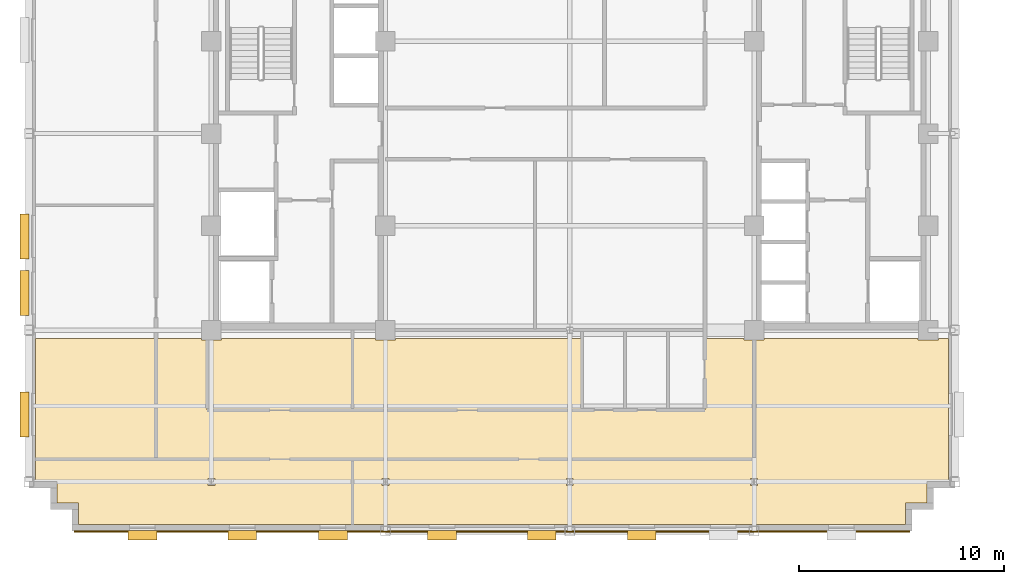
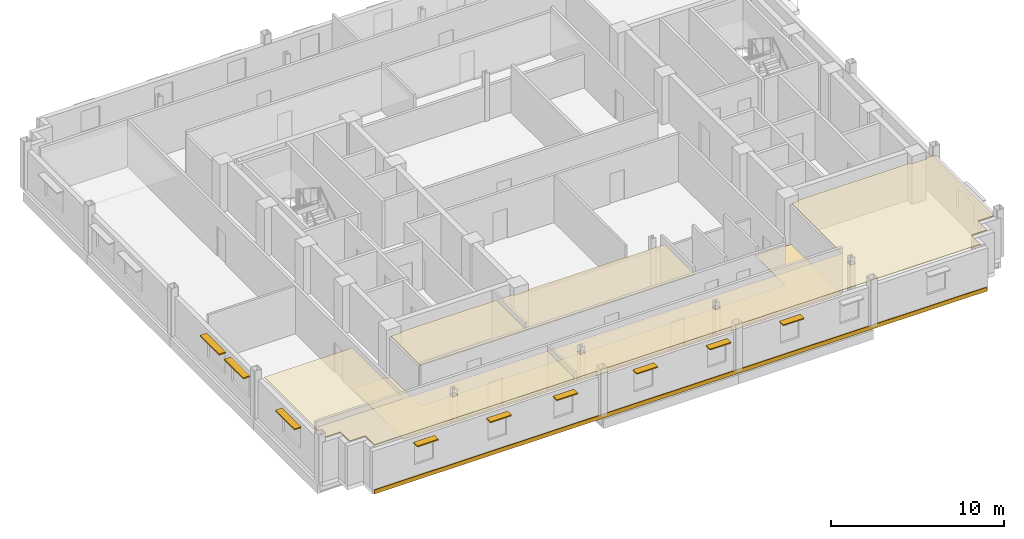
# One storey, part 10 of 13: 9 shading devices, 7 coverings.
"""IFC4 building model written with IfcOpenShell, lengths in metres."""

from ifc_helpers import new_model, si_unit, direction, frame, origin, origin_2d, place, context, subcontext, project, spatial, polyline, rectangle, outline, extrude, source, transform, mapped, material, layer, layer_set, type_object, type_shapes, element, save


model = new_model("IFC4")

# Units and contexts
model_context = context("Model", 3, precision=1e-05, world=origin(), true_north=direction((0.0, 1.0)))
body_context = subcontext(model_context, "Body", "Model", "MODEL_VIEW")
ifc_project = project(units=[si_unit("LENGTHUNIT", "METRE"), si_unit("AREAUNIT", "SQUARE_METRE"), si_unit("VOLUMEUNIT", "CUBIC_METRE"), si_unit("PLANEANGLEUNIT", "RADIAN"), si_unit("MASSUNIT", "GRAM", prefix="KILO")], contexts=[model_context])

# Site, building, storey
site_placement = place(None, origin())
site = spatial("IfcSite", under=ifc_project, at=site_placement, CompositionType="ELEMENT")
building_placement = place(site_placement, origin())
building = spatial("IfcBuilding", under=site, at=building_placement, Name="Nuvemarco Arch Tower", CompositionType="ELEMENT")
storey_placement = place(building_placement, frame((0.0, 0.0, 212.800048828125)))
storey = spatial("IfcBuildingStorey", under=building, at=storey_placement, Name="L56", CompositionType="ELEMENT", Elevation=212.800048828125)

# Coverings
ifc_material_1 = material(Name="Mineral acoustic ceiling tile")
ifc_layer_1 = layer(ifc_material_1, 0.0400390625, Name="COV-ACOUSTIC-CLG")
ifc_layer_set_1 = layer_set([ifc_layer_1], Name="Mineral acoustic ceiling tile")
covering_type_1 = type_object("IfcCoveringType", Name="COV-ACOUSTIC-CLG", PredefinedType="CEILING", material=ifc_layer_set_1)
covering_1_placement = place(storey_placement, frame((0.0, 0.0, 2.849853515625)))
element("IfcCovering", 1, at=covering_1_placement, inside=storey, type_object=covering_type_1, Name="L56 suspended acoustic ceiling 1", PredefinedType="CEILING", context=body_context, shape_type="SweptSolid", body=[
    extrude(outline(polyline([(-10.610107421875, -15.89990234375), (6.60009765625, -15.89990234375), (9.0, -15.89990234375), (9.0, -13.5), (9.0, -10.090087890625), (9.489990234375, -10.090087890625), (9.489990234375, -10.0), (17.010009765625, -10.0), (17.010009765625, -10.090087890625), (17.989990234375, -10.090087890625), (17.989990234375, -10.0), (18.489990234375, -10.0), (18.489990234375, -16.989990234375), (17.43994140625, -16.989990234375), (17.43994140625, -18.0400390625), (16.389892578125, -18.0400390625), (16.389892578125, -19.090087890625), (-10.610107421875, -19.090087890625), (-10.610107421875, -15.89990234375)]), holes=[polyline([(-8.830078125, -16.830078125), (-9.169921875, -16.830078125), (-9.169921875, -17.169921875), (-8.830078125, -17.169921875), (-8.830078125, -16.830078125)]), polyline([(0.169921875, -17.169921875), (0.169921875, -16.830078125), (-0.169921875, -16.830078125), (-0.169921875, -17.169921875), (0.169921875, -17.169921875)]), polyline([(9.169921875, -17.169921875), (9.169921875, -16.830078125), (8.830078125, -16.830078125), (8.830078125, -17.169921875), (9.169921875, -17.169921875)])]), origin(), (0.0, 0.0, 1.0), 0.0400390625),
])
covering_2_placement = place(storey_placement, frame((0.0, 0.0, 2.849853515625)))
element("IfcCovering", 2, at=covering_2_placement, inside=storey, type_object=covering_type_1, Name="L56 suspended acoustic ceiling 4", PredefinedType="CEILING", context=body_context, shape_type="SweptSolid", body=[
    extrude(outline(polyline([(-20.199951171875, -15.89990234375), (-26.090087890625, -15.89990234375), (-26.090087890625, -10.0), (-20.199951171875, -10.0), (-20.199951171875, -13.5), (-20.199951171875, -15.89990234375)])), origin(), (0.0, 0.0, 1.0), 0.0400390625),
])
covering_3_placement = place(storey_placement, frame((0.0, 0.0, 2.849853515625)))
element("IfcCovering", 3, at=covering_3_placement, inside=storey, type_object=covering_type_1, Name="L56 suspended acoustic ceiling 6", PredefinedType="CEILING", context=body_context, shape_type="SweptSolid", body=[
    extrude(outline(polyline([(-26.090087890625, -16.989990234375), (-26.090087890625, -15.89990234375), (-20.199951171875, -15.89990234375), (-17.699951171875, -15.89990234375), (-10.610107421875, -15.89990234375), (-10.610107421875, -19.090087890625), (-23.989990234375, -19.090087890625), (-23.989990234375, -18.0400390625), (-25.0400390625, -18.0400390625), (-25.0400390625, -16.989990234375), (-26.090087890625, -16.989990234375)]), holes=[polyline([(-17.330078125, -16.830078125), (-17.669921875, -16.830078125), (-17.669921875, -17.169921875), (-17.330078125, -17.169921875), (-17.330078125, -16.830078125)])]), origin(), (0.0, 0.0, 1.0), 0.0400390625),
])
covering_4_placement = place(storey_placement, frame((0.0, 0.0, 2.849853515625)))
element("IfcCovering", 4, at=covering_4_placement, inside=storey, type_object=covering_type_1, Name="L56 suspended acoustic ceiling 8", PredefinedType="CEILING", context=body_context, shape_type="SweptSolid", body=[
    extrude(outline(polyline([(0.60009765625, -13.5), (-10.610107421875, -13.5), (-10.610107421875, -10.0), (-9.489990234375, -10.0), (-9.489990234375, -10.090087890625), (-8.510009765625, -10.090087890625), (-8.510009765625, -10.0), (0.60009765625, -10.0), (0.60009765625, -13.5)])), origin(), (0.0, 0.0, 1.0), 0.0400390625),
])
covering_5_placement = place(storey_placement, frame((0.0, 0.0, 2.849853515625)))
element("IfcCovering", 5, at=covering_5_placement, inside=storey, type_object=covering_type_1, Name="L56 suspended acoustic ceiling 9", PredefinedType="CEILING", context=body_context, shape_type="SweptSolid", body=[
    extrude(outline(polyline([(-10.610107421875, -13.5), (-17.699951171875, -13.5), (-17.699951171875, -10.090087890625), (-17.010009765625, -10.090087890625), (-17.010009765625, -10.0), (-10.610107421875, -10.0), (-10.610107421875, -13.5)])), origin(), (0.0, 0.0, 1.0), 0.0400390625),
])
ifc_material_2 = material(Name="Polished granite terrazzostone flooring", Category="masonry")
ifc_layer_2 = layer(ifc_material_2, 0.02001953125, Name="COV-LOBBY-FLR")
ifc_layer_set_2 = layer_set([ifc_layer_2], Name="Polished granite terrazzostone flooring")
covering_type_2 = type_object("IfcCoveringType", Name="COV-LOBBY-FLR", PredefinedType="FLOORING", material=ifc_layer_set_2)
covering_6_placement = place(storey_placement, origin())
element("IfcCovering", 6, at=covering_6_placement, inside=storey, type_object=covering_type_2, Name="L56 polished terrazzo lobby flooring", PredefinedType="FLOORING", context=body_context, shape_type="SweptSolid", body=[
    extrude(outline(polyline([(-20.199951171875, -10.0), (-17.989990234375, -10.0), (-17.989990234375, -10.090087890625), (-17.699951171875, -10.090087890625), (-17.699951171875, -13.5), (6.60009765625, -13.5), (6.60009765625, -10.0), (8.510009765625, -10.0), (8.510009765625, -10.090087890625), (9.0, -10.090087890625), (9.0, -13.5), (9.0, -15.89990234375), (6.60009765625, -15.89990234375), (-17.699951171875, -15.89990234375), (-20.199951171875, -15.89990234375), (-20.199951171875, -13.5), (-20.199951171875, -10.0)])), origin(), (0.0, 0.0, 1.0), 0.02001953125),
])

# Shading devices
ifc_material_3 = material(Name="Anodised aluminium 6063-T6", Category="aluminium")
shading_device_type_1 = type_object("IfcShadingDeviceType", Name="SHD-BRISE-SOLEIL", PredefinedType="USERDEFINED", material=ifc_material_3)
shared_shape_1 = source(origin(), body_context, "Body", "SweptSolid", [
    extrude(rectangle(XDim=2.199951171875, YDim=0.449951171875, at=origin_2d()), origin(), (0.0, 0.0, 1.0), 0.080078125),
])
type_shapes(shading_device_type_1, [shared_shape_1])
for number, where, z_axis, x_axis, name in (
    (7, (-26.614990234375, -13.708984375, 2.324951171875), (0.0, 0.0, 1.0), (0.0, 1.0, 0.0), "L56 horizontal brise-soleil sunshade"),
    (8, (-26.614990234375, -7.789306640625, 2.324951171875), (0.0, 0.0, 1.0), (0.0, 1.0, 0.0), "L56 horizontal brise-soleil sunshade"),
    (9, (-26.614990234375, -5.019775390625, 2.324951171875), (0.0, 0.0, 1.0), (0.0, 1.0, 0.0), "L56 horizontal brise-soleil sunshade"),
):
    element("IfcShadingDevice", number, at=place(storey_placement, frame(where, z_axis=z_axis, x_axis=x_axis)), inside=storey, type_object=shading_device_type_1, Name=name, ObjectType="SUNSHADE", PredefinedType="USERDEFINED", context=body_context, shape_type="MappedRepresentation", body=[
        mapped(shared_shape_1, transform((0.0, 0.0, 0.0), scale=1.0)),
    ])
shading_device_type_2 = type_object("IfcShadingDeviceType", Name="SHD-BRISE-NARROW", PredefinedType="USERDEFINED", material=ifc_material_3)
shared_shape_2 = source(origin(), body_context, "Body", "SweptSolid", [
    extrude(rectangle(XDim=1.39990234375, YDim=0.449951171875, at=origin_2d()), origin(), (0.0, 0.0, 1.0), 0.080078125),
])
type_shapes(shading_device_type_2, [shared_shape_2])
for number, where, z_axis, x_axis, name in (
    (10, (-20.862548828125, -19.614990234375, 2.324951171875), (0.0, 0.0, 1.0), (1.0, 0.0, 0.0), "L56 horizontal brise-soleil sunshade"),
    (11, (-15.987548828125, -19.614990234375, 2.324951171875), (0.0, 0.0, 1.0), (1.0, 0.0, 0.0), "L56 horizontal brise-soleil sunshade"),
    (12, (-11.5625, -19.614990234375, 2.324951171875), (0.0, 0.0, 1.0), (1.0, 0.0, 0.0), "L56 horizontal brise-soleil sunshade"),
    (13, (-6.237548828125, -19.614990234375, 2.324951171875), (0.0, 0.0, 1.0), (1.0, 0.0, 0.0), "L56 horizontal brise-soleil sunshade"),
    (14, (-1.362548828125, -19.614990234375, 2.324951171875), (0.0, 0.0, 1.0), (1.0, 0.0, 0.0), "L56 horizontal brise-soleil sunshade"),
    (15, (3.512451171875, -19.614990234375, 2.324951171875), (0.0, 0.0, 1.0), (1.0, 0.0, 0.0), "L56 horizontal brise-soleil sunshade"),
):
    element("IfcShadingDevice", number, at=place(storey_placement, frame(where, z_axis=z_axis, x_axis=x_axis)), inside=storey, type_object=shading_device_type_2, Name=name, ObjectType="SUNSHADE", PredefinedType="USERDEFINED", context=body_context, shape_type="MappedRepresentation", body=[
        mapped(shared_shape_2, transform((0.0, 0.0, 0.0), scale=1.0)),
    ])

# Covering
ifc_material_4 = material(Name="Precast concrete C45/55", Category="concrete")
ifc_layer_3 = layer(ifc_material_4, 0.06005859375, Name="COV-SPANDREL-CLAD")
ifc_layer_set_3 = layer_set([ifc_layer_3], Name="Precast concrete C45/55")
covering_type_3 = type_object("IfcCoveringType", Name="COV-SPANDREL-CLAD", PredefinedType="CLADDING", material=ifc_layer_set_3)
shared_shape_3 = source(origin(), body_context, "Body", "SweptSolid", [
    extrude(rectangle(XDim=40.800048828125, YDim=0.06005859375, at=origin_2d()), origin(), (0.0, 0.0, 1.0), 0.280029296875),
])
type_shapes(covering_type_3, [shared_shape_3])
covering_7_placement = place(storey_placement, frame((-3.800048828125, -19.428955078125, -0.2802734375), z_axis=(0.0, 0.0, 1.0), x_axis=(1.0, 0.0, 0.0)))
element("IfcCovering", 16, at=covering_7_placement, inside=storey, type_object=covering_type_3, Name="L56 precast spandrel edge cladding south", PredefinedType="CLADDING", context=body_context, shape_type="MappedRepresentation", body=[
    mapped(shared_shape_3, transform((0.0, 0.0, 0.0), scale=1.0)),
])

save(model, "model.ifc")
